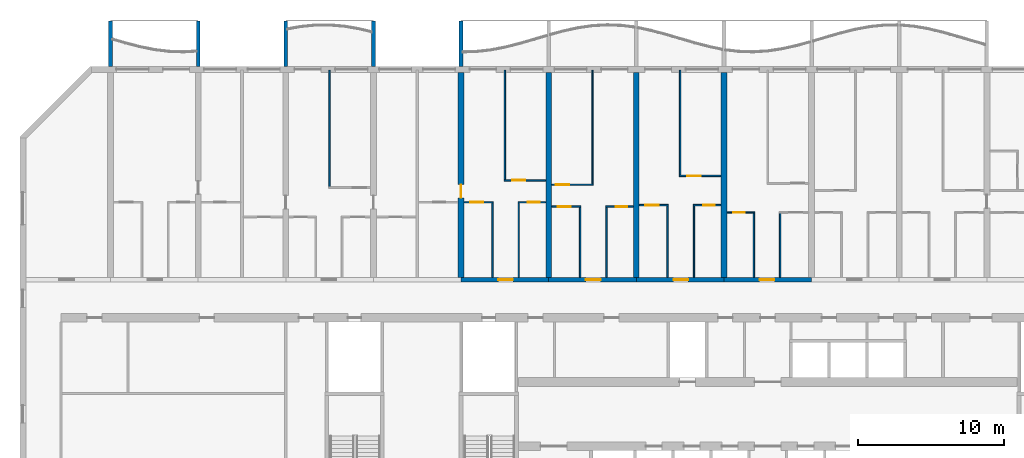
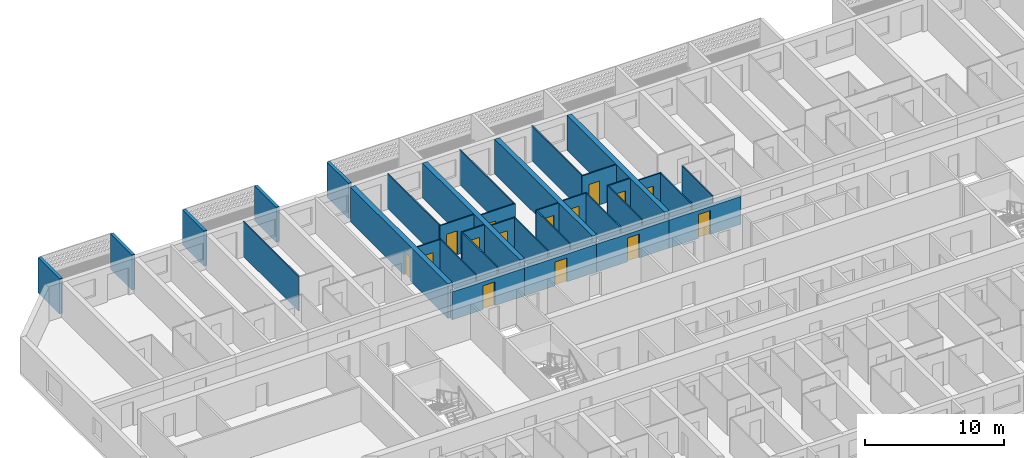
# One storey, part 13 of 44: 35 walls, 15 doors, 15 openings.
"""IFC4 building model written with IfcOpenShell, lengths in metres."""

from ifc_helpers import new_model, si_unit, direction, frame, frame_2d, origin, place, context, subcontext, project, spatial, polyline, rectangle, outline, extrude, source, transform, mapped, material, layer, layer_set, type_object, element, fill, save


model = new_model("IFC4")

# Units and contexts
model_context = context("Model", 3, precision=1e-05, world=origin(), true_north=direction((0.0, 1.0)))
body_context = subcontext(model_context, "Body", "Model", "MODEL_VIEW")
ifc_project = project(units=[si_unit("LENGTHUNIT", "METRE"), si_unit("AREAUNIT", "SQUARE_METRE"), si_unit("VOLUMEUNIT", "CUBIC_METRE"), si_unit("PLANEANGLEUNIT", "RADIAN"), si_unit("MASSUNIT", "GRAM", prefix="KILO")], contexts=[model_context])

# Site, building, storey
site_placement = place(None, origin())
site = spatial("IfcSite", under=ifc_project, at=site_placement, CompositionType="ELEMENT")
building_placement = place(site_placement, origin())
building = spatial("IfcBuilding", under=site, at=building_placement, Name="Poui Terraces", CompositionType="ELEMENT")
storey_placement = place(building_placement, frame((0.0, 0.0, 26.699951171875)))
storey = spatial("IfcBuildingStorey", under=building, at=storey_placement, Name="L06", CompositionType="ELEMENT", Elevation=26.699951171875)

# Wall, opening, door
ifc_material_1 = material(Name="Concrete 80 MPa", Category="concrete")
ifc_layer_1 = layer(ifc_material_1, 0.300048828125)
ifc_layer_set_1 = layer_set([ifc_layer_1], Name="Concrete 80 MPa")
wall_type_1 = type_object("IfcWallType", Name="CORRIDOR WALL 300 80MPa", PredefinedType="SHEAR", material=ifc_layer_set_1)
wall_1_placement = place(storey_placement, frame((30.0, 30.39990234375, 0.0), z_axis=(0.0, 0.0, 1.0), x_axis=(1.0, 0.0, 0.0)))
wall_1 = element("IfcWall", 1, at=wall_1_placement, inside=storey, type_object=wall_type_1, Name="CORRIDOR WALL LINE E BAY 6", PredefinedType="SHEAR", context=body_context, shape_type="SweptSolid", body=[
    extrude(rectangle(XDim=6.0, YDim=0.300048828125, at=frame_2d((3.0, 0.0))), origin(), (0.0, 0.0, 1.0), 2.449951171875),
])
opening_1_placement = place(wall_1_placement, frame((2.550048828125, 0.0, 0.0)))
opening_1 = element("IfcOpeningElement", 2, at=opening_1_placement, cuts=wall_1, Name="Opening FD30S", PredefinedType="OPENING", context=body_context, shape_type="SweptSolid", body=[
    extrude(rectangle(XDim=1.0, YDim=2.10009765625, at=frame_2d((0.5, 1.050048828125))), frame((0.0, 0.16015625, 0.0), z_axis=(0.0, -1.0, 0.0), x_axis=(1.0, 0.0, 0.0)), (0.0, 0.0, 1.0), 0.320068359375),
])
ifc_material_2 = material(Name="Steel fire door", Category="steel")
door_type_1 = type_object("IfcDoorType", Name="FLAT ENTRANCE DOOR 1000 X 2100", OperationType="NOTDEFINED", PredefinedType="DOOR", material=ifc_material_2)
door_1_placement = place(opening_1_placement, origin())
door_1 = element("IfcDoor", 3, at=door_1_placement, inside=storey, type_object=door_type_1, Name="FLAT ENTRANCE DOOR 048", OperationType="SINGLE_SWING_RIGHT", OverallHeight=2.10009765625, OverallWidth=1.0, PredefinedType="DOOR", context=body_context, shape_type="SweptSolid", body=[
    extrude(rectangle(XDim=1.0, YDim=2.10009765625, at=frame_2d((0.5, 1.050048828125))), frame((0.0, 0.02490234375, 0.0), z_axis=(0.0, -1.0, 0.0), x_axis=(1.0, 0.0, 0.0)), (0.0, 0.0, 1.0), 0.050048828125),
])
fill(opening_1, door_1)

wall_2_placement = place(storey_placement, frame((36.0, 30.39990234375, 0.0), z_axis=(0.0, 0.0, 1.0), x_axis=(1.0, 0.0, 0.0)))
wall_2 = element("IfcWall", 4, at=wall_2_placement, inside=storey, type_object=wall_type_1, Name="CORRIDOR WALL LINE E BAY 7", PredefinedType="SHEAR", context=body_context, shape_type="SweptSolid", body=[
    extrude(rectangle(XDim=6.0, YDim=0.300048828125, at=frame_2d((3.0, 0.0))), origin(), (0.0, 0.0, 1.0), 2.449951171875),
])
opening_2_placement = place(wall_2_placement, frame((2.550048828125, 0.0, 0.0)))
opening_2 = element("IfcOpeningElement", 5, at=opening_2_placement, cuts=wall_2, Name="Opening FD30S", PredefinedType="OPENING", context=body_context, shape_type="SweptSolid", body=[
    extrude(rectangle(XDim=1.0, YDim=2.10009765625, at=frame_2d((0.5, 1.050048828125))), frame((0.0, 0.16015625, 0.0), z_axis=(0.0, -1.0, 0.0), x_axis=(1.0, 0.0, 0.0)), (0.0, 0.0, 1.0), 0.320068359375),
])
door_2_placement = place(opening_2_placement, origin())
door_2 = element("IfcDoor", 6, at=door_2_placement, inside=storey, type_object=door_type_1, Name="FLAT ENTRANCE DOOR 053", OperationType="SINGLE_SWING_RIGHT", OverallHeight=2.10009765625, OverallWidth=1.0, PredefinedType="DOOR", context=body_context, shape_type="SweptSolid", body=[
    extrude(rectangle(XDim=1.0, YDim=2.10009765625, at=frame_2d((0.5, 1.050048828125))), frame((0.0, 0.02490234375, 0.0), z_axis=(0.0, -1.0, 0.0), x_axis=(1.0, 0.0, 0.0)), (0.0, 0.0, 1.0), 0.050048828125),
])
fill(opening_2, door_2)

wall_3_placement = place(storey_placement, frame((42.0, 30.39990234375, 0.0), z_axis=(0.0, 0.0, 1.0), x_axis=(1.0, 0.0, 0.0)))
wall_3 = element("IfcWall", 7, at=wall_3_placement, inside=storey, type_object=wall_type_1, Name="CORRIDOR WALL LINE E BAY 8", PredefinedType="SHEAR", context=body_context, shape_type="SweptSolid", body=[
    extrude(rectangle(XDim=6.0, YDim=0.300048828125, at=frame_2d((3.0, 0.0))), origin(), (0.0, 0.0, 1.0), 2.449951171875),
])
opening_3_placement = place(wall_3_placement, frame((2.550048828125, 0.0, 0.0)))
opening_3 = element("IfcOpeningElement", 8, at=opening_3_placement, cuts=wall_3, Name="Opening FD30S", PredefinedType="OPENING", context=body_context, shape_type="SweptSolid", body=[
    extrude(rectangle(XDim=1.0, YDim=2.10009765625, at=frame_2d((0.5, 1.050048828125))), frame((0.0, 0.16015625, 0.0), z_axis=(0.0, -1.0, 0.0), x_axis=(1.0, 0.0, 0.0)), (0.0, 0.0, 1.0), 0.320068359375),
])
door_3_placement = place(opening_3_placement, origin())
door_3 = element("IfcDoor", 9, at=door_3_placement, inside=storey, type_object=door_type_1, Name="FLAT ENTRANCE DOOR 056", OperationType="SINGLE_SWING_RIGHT", OverallHeight=2.10009765625, OverallWidth=1.0, PredefinedType="DOOR", context=body_context, shape_type="SweptSolid", body=[
    extrude(rectangle(XDim=1.0, YDim=2.10009765625, at=frame_2d((0.5, 1.050048828125))), frame((0.0, 0.02490234375, 0.0), z_axis=(0.0, -1.0, 0.0), x_axis=(1.0, 0.0, 0.0)), (0.0, 0.0, 1.0), 0.050048828125),
])
fill(opening_3, door_3)

wall_4_placement = place(storey_placement, frame((48.0, 30.39990234375, 0.0), z_axis=(0.0, 0.0, 1.0), x_axis=(1.0, 0.0, 0.0)))
wall_4 = element("IfcWall", 10, at=wall_4_placement, inside=storey, type_object=wall_type_1, Name="CORRIDOR WALL LINE E BAY 9", PredefinedType="SHEAR", context=body_context, shape_type="SweptSolid", body=[
    extrude(rectangle(XDim=6.0, YDim=0.300048828125, at=frame_2d((3.0, 0.0))), origin(), (0.0, 0.0, 1.0), 2.449951171875),
])
opening_4_placement = place(wall_4_placement, frame((2.449951171875, 0.0, 0.0)))
opening_4 = element("IfcOpeningElement", 11, at=opening_4_placement, cuts=wall_4, Name="Opening FD30S", PredefinedType="OPENING", context=body_context, shape_type="SweptSolid", body=[
    extrude(rectangle(XDim=1.0, YDim=2.10009765625, at=frame_2d((0.5, 1.050048828125))), frame((0.0, 0.16015625, 0.0), z_axis=(0.0, -1.0, 0.0), x_axis=(1.0, 0.0, 0.0)), (0.0, 0.0, 1.0), 0.320068359375),
])
door_4_placement = place(opening_4_placement, origin())
door_4 = element("IfcDoor", 12, at=door_4_placement, inside=storey, type_object=door_type_1, Name="FLAT ENTRANCE DOOR 060", OperationType="SINGLE_SWING_LEFT", OverallHeight=2.10009765625, OverallWidth=1.0, PredefinedType="DOOR", context=body_context, shape_type="SweptSolid", body=[
    extrude(rectangle(XDim=1.0, YDim=2.10009765625, at=frame_2d((0.5, 1.050048828125))), frame((0.0, 0.02490234375, 0.0), z_axis=(0.0, -1.0, 0.0), x_axis=(1.0, 0.0, 0.0)), (0.0, 0.0, 1.0), 0.050048828125),
])
fill(opening_4, door_4)

ifc_layer_2 = layer(ifc_material_1, 0.39990234375)
ifc_layer_set_2 = layer_set([ifc_layer_2], Name="Concrete 80 MPa")
wall_type_2 = type_object("IfcWallType", Name="CROSS WALL 400 80MPa", PredefinedType="SHEAR", material=ifc_layer_set_2)
wall_5_placement = place(storey_placement, frame((30.0, 30.550048828125, 0.0), z_axis=(0.0, 0.0, 1.0), x_axis=(0.0, 1.0, 0.0)))
wall_5 = element("IfcWall", 13, at=wall_5_placement, inside=storey, type_object=wall_type_2, Name="CROSS WALL LINE 6 NORTH", PredefinedType="SHEAR", context=body_context, shape_type="SweptSolid", body=[
    extrude(rectangle(XDim=14.050048828125, YDim=0.39990234375, at=frame_2d((7.02490234375, 0.0))), origin(), (0.0, 0.0, 1.0), 3.050048828125),
])
opening_5_placement = place(wall_5_placement, frame((5.449951171875, 0.0, 0.0)))
opening_5 = element("IfcOpeningElement", 14, at=opening_5_placement, cuts=wall_5, Name="Opening D90", PredefinedType="OPENING", context=body_context, shape_type="SweptSolid", body=[
    extrude(rectangle(XDim=0.89990234375, YDim=2.10009765625, at=frame_2d((0.449951171875, 1.050048828125))), frame((0.0, 0.2099609375, 0.0), z_axis=(0.0, -1.0, 0.0), x_axis=(1.0, 0.0, 0.0)), (0.0, 0.0, 1.0), 0.419921875),
])
ifc_material_3 = material(Name="Solid core timber door", Category="wood")
door_type_2 = type_object("IfcDoorType", Name="INTERNAL DOOR 900 X 2100", OperationType="NOTDEFINED", PredefinedType="DOOR", material=ifc_material_3)
door_5_placement = place(opening_5_placement, origin())
door_5 = element("IfcDoor", 15, at=door_5_placement, inside=storey, type_object=door_type_2, Name="INTERNAL DOOR 046", OperationType="SINGLE_SWING_LEFT", OverallHeight=2.10009765625, OverallWidth=0.89990234375, PredefinedType="DOOR", context=body_context, shape_type="SweptSolid", body=[
    extrude(rectangle(XDim=0.89990234375, YDim=2.10009765625, at=frame_2d((0.449951171875, 1.050048828125))), frame((0.0, 0.02490234375, 0.0), z_axis=(0.0, -1.0, 0.0), x_axis=(1.0, 0.0, 0.0)), (0.0, 0.0, 1.0), 0.050048828125),
])
fill(opening_5, door_5)

# Walls
for number, where, z_axis, x_axis, name in (
    (16, (36.0, 30.550048828125, 0.0), (0.0, 0.0, 1.0), (0.0, 1.0, 0.0), "CROSS WALL LINE 7 NORTH"),
    (17, (42.0, 30.550048828125, 0.0), (0.0, 0.0, 1.0), (0.0, 1.0, 0.0), "CROSS WALL LINE 8 NORTH"),
    (18, (48.0, 30.550048828125, 0.0), (0.0, 0.0, 1.0), (0.0, 1.0, 0.0), "CROSS WALL LINE 9 NORTH"),
):
    element("IfcWall", number, at=place(storey_placement, frame(where, z_axis=z_axis, x_axis=x_axis)), inside=storey, type_object=wall_type_2, Name=name, PredefinedType="SHEAR", context=body_context, shape_type="SweptSolid", body=[
        extrude(rectangle(XDim=14.050048828125, YDim=0.39990234375, at=frame_2d((7.02490234375, 0.0))), origin(), (0.0, 0.0, 1.0), 3.050048828125),
    ])

# Wall, opening, door
ifc_material_4 = material(Name="Plasterboard partition")
ifc_layer_3 = layer(ifc_material_4, 0.10009765625)
ifc_layer_set_3 = layer_set([ifc_layer_3], Name="Plasterboard partition")
wall_type_3 = type_object("IfcWallType", Name="FLAT PARTITION 100", PredefinedType="PARTITIONING", material=ifc_layer_set_3)
wall_6_placement = place(storey_placement, frame((48.2099609375, 35.0, 0.0), z_axis=(0.0, 0.0, 1.0), x_axis=(1.0, 0.0, 0.0)))
wall_6 = element("IfcWall", 19, at=wall_6_placement, inside=storey, type_object=wall_type_3, Name="FLAT PARTITION 100", PredefinedType="PARTITIONING", context=body_context, shape_type="SweptSolid", body=[
    extrude(rectangle(XDim=1.89013671875, YDim=0.10009765625, at=frame_2d((0.945068359375, 0.0))), origin(), (0.0, 0.0, 1.0), 3.050048828125),
])
opening_6_placement = place(wall_6_placement, frame((0.4150390625, 0.0, 0.0)))
opening_6 = element("IfcOpeningElement", 20, at=opening_6_placement, cuts=wall_6, Name="Opening D80", PredefinedType="OPENING", context=body_context, shape_type="SweptSolid", body=[
    extrude(rectangle(XDim=0.800048828125, YDim=2.10009765625, at=frame_2d((0.39990234375, 1.050048828125))), frame((0.0, 0.06005859375, 0.0), z_axis=(0.0, -1.0, 0.0), x_axis=(1.0, 0.0, 0.0)), (0.0, 0.0, 1.0), 0.1201171875),
])
door_type_3 = type_object("IfcDoorType", Name="BATHROOM, LAUNDRY AND STORE DOOR 800 X 2100", OperationType="NOTDEFINED", PredefinedType="DOOR", material=ifc_material_3)
door_6_placement = place(opening_6_placement, frame((0.800048828125, 0.0, 0.0), z_axis=(0.0, 0.0, 1.0), x_axis=(-1.0, 0.0, 0.0)))
door_6 = element("IfcDoor", 21, at=door_6_placement, inside=storey, type_object=door_type_3, Name="BATHROOM, LAUNDRY AND STORE DOOR 059", OperationType="SINGLE_SWING_RIGHT", OverallHeight=2.10009765625, OverallWidth=0.800048828125, PredefinedType="DOOR", context=body_context, shape_type="SweptSolid", body=[
    extrude(rectangle(XDim=0.800048828125, YDim=2.10009765625, at=frame_2d((0.39990234375, 1.050048828125))), frame((0.0, 0.02490234375, 0.0), z_axis=(0.0, -1.0, 0.0), x_axis=(1.0, 0.0, 0.0)), (0.0, 0.0, 1.0), 0.050048828125),
])
fill(opening_6, door_6)

wall_7_placement = place(storey_placement, frame((36.2099609375, 35.39990234375, 0.0), z_axis=(0.0, 0.0, 1.0), x_axis=(1.0, 0.0, 0.0)))
wall_7 = element("IfcWall", 22, at=wall_7_placement, inside=storey, type_object=wall_type_3, Name="FLAT PARTITION 100", PredefinedType="PARTITIONING", context=body_context, shape_type="SweptSolid", body=[
    extrude(rectangle(XDim=1.989990234375, YDim=0.10009765625, at=frame_2d((0.9951171875, 0.0))), origin(), (0.0, 0.0, 1.0), 3.050048828125),
])
opening_7_placement = place(wall_7_placement, frame((0.4150390625, 0.0, 0.0)))
opening_7 = element("IfcOpeningElement", 23, at=opening_7_placement, cuts=wall_7, Name="Opening D90", PredefinedType="OPENING", context=body_context, shape_type="SweptSolid", body=[
    extrude(rectangle(XDim=0.89990234375, YDim=2.10009765625, at=frame_2d((0.449951171875, 1.050048828125))), frame((0.0, 0.06005859375, 0.0), z_axis=(0.0, -1.0, 0.0), x_axis=(1.0, 0.0, 0.0)), (0.0, 0.0, 1.0), 0.1201171875),
])
door_7_placement = place(opening_7_placement, frame((0.89990234375, 0.0, 0.0), z_axis=(0.0, 0.0, 1.0), x_axis=(-1.0, 0.0, 0.0)))
door_7 = element("IfcDoor", 24, at=door_7_placement, inside=storey, type_object=door_type_2, Name="INTERNAL DOOR 052", OperationType="SINGLE_SWING_RIGHT", OverallHeight=2.10009765625, OverallWidth=0.89990234375, PredefinedType="DOOR", context=body_context, shape_type="SweptSolid", body=[
    extrude(rectangle(XDim=0.89990234375, YDim=2.10009765625, at=frame_2d((0.449951171875, 1.050048828125))), frame((0.0, 0.02490234375, 0.0), z_axis=(0.0, -1.0, 0.0), x_axis=(1.0, 0.0, 0.0)), (0.0, 0.0, 1.0), 0.050048828125),
])
fill(opening_7, door_7)

wall_8_placement = place(storey_placement, frame((39.89990234375, 35.39990234375, 0.0), z_axis=(0.0, 0.0, 1.0), x_axis=(1.0, 0.0, 0.0)))
wall_8 = element("IfcWall", 25, at=wall_8_placement, inside=storey, type_object=wall_type_3, Name="FLAT PARTITION 100", PredefinedType="PARTITIONING", context=body_context, shape_type="SweptSolid", body=[
    extrude(rectangle(XDim=1.89013671875, YDim=0.10009765625, at=frame_2d((0.945068359375, 0.0))), origin(), (0.0, 0.0, 1.0), 3.050048828125),
])
opening_8_placement = place(wall_8_placement, frame((0.675048828125, 0.0, 0.0)))
opening_8 = element("IfcOpeningElement", 26, at=opening_8_placement, cuts=wall_8, Name="Opening D80", PredefinedType="OPENING", context=body_context, shape_type="SweptSolid", body=[
    extrude(rectangle(XDim=0.800048828125, YDim=2.10009765625, at=frame_2d((0.39990234375, 1.050048828125))), frame((0.0, 0.06005859375, 0.0), z_axis=(0.0, -1.0, 0.0), x_axis=(1.0, 0.0, 0.0)), (0.0, 0.0, 1.0), 0.1201171875),
])
door_8_placement = place(opening_8_placement, frame((0.800048828125, 0.0, 0.0), z_axis=(0.0, 0.0, 1.0), x_axis=(-1.0, 0.0, 0.0)))
door_8 = element("IfcDoor", 27, at=door_8_placement, inside=storey, type_object=door_type_3, Name="BATHROOM, LAUNDRY AND STORE DOOR 054", OperationType="SINGLE_SWING_LEFT", OverallHeight=2.10009765625, OverallWidth=0.800048828125, PredefinedType="DOOR", context=body_context, shape_type="SweptSolid", body=[
    extrude(rectangle(XDim=0.800048828125, YDim=2.10009765625, at=frame_2d((0.39990234375, 1.050048828125))), frame((0.0, 0.02490234375, 0.0), z_axis=(0.0, -1.0, 0.0), x_axis=(1.0, 0.0, 0.0)), (0.0, 0.0, 1.0), 0.050048828125),
])
fill(opening_8, door_8)

wall_9_placement = place(storey_placement, frame((42.2099609375, 35.5, 0.0), z_axis=(0.0, 0.0, 1.0), x_axis=(1.0, 0.0, 0.0)))
wall_9 = element("IfcWall", 28, at=wall_9_placement, inside=storey, type_object=wall_type_3, Name="FLAT PARTITION 100", PredefinedType="PARTITIONING", context=body_context, shape_type="SweptSolid", body=[
    extrude(rectangle(XDim=1.989990234375, YDim=0.10009765625, at=frame_2d((0.9951171875, 0.0))), origin(), (0.0, 0.0, 1.0), 3.050048828125),
])
opening_9_placement = place(wall_9_placement, frame((0.4150390625, 0.0, 0.0)))
opening_9 = element("IfcOpeningElement", 29, at=opening_9_placement, cuts=wall_9, Name="Opening D90", PredefinedType="OPENING", context=body_context, shape_type="SweptSolid", body=[
    extrude(rectangle(XDim=0.89990234375, YDim=2.10009765625, at=frame_2d((0.449951171875, 1.050048828125))), frame((0.0, 0.06005859375, 0.0), z_axis=(0.0, -1.0, 0.0), x_axis=(1.0, 0.0, 0.0)), (0.0, 0.0, 1.0), 0.1201171875),
])
door_9_placement = place(opening_9_placement, frame((0.89990234375, 0.0, 0.0), z_axis=(0.0, 0.0, 1.0), x_axis=(-1.0, 0.0, 0.0)))
door_9 = element("IfcDoor", 30, at=door_9_placement, inside=storey, type_object=door_type_2, Name="INTERNAL DOOR 055", OperationType="SINGLE_SWING_LEFT", OverallHeight=2.10009765625, OverallWidth=0.89990234375, PredefinedType="DOOR", context=body_context, shape_type="SweptSolid", body=[
    extrude(rectangle(XDim=0.89990234375, YDim=2.10009765625, at=frame_2d((0.449951171875, 1.050048828125))), frame((0.0, 0.02490234375, 0.0), z_axis=(0.0, -1.0, 0.0), x_axis=(1.0, 0.0, 0.0)), (0.0, 0.0, 1.0), 0.050048828125),
])
fill(opening_9, door_9)

wall_10_placement = place(storey_placement, frame((45.89990234375, 35.5, 0.0), z_axis=(0.0, 0.0, 1.0), x_axis=(1.0, 0.0, 0.0)))
wall_10 = element("IfcWall", 31, at=wall_10_placement, inside=storey, type_object=wall_type_3, Name="FLAT PARTITION 100", PredefinedType="PARTITIONING", context=body_context, shape_type="SweptSolid", body=[
    extrude(rectangle(XDim=1.89013671875, YDim=0.10009765625, at=frame_2d((0.945068359375, 0.0))), origin(), (0.0, 0.0, 1.0), 3.050048828125),
])
opening_10_placement = place(wall_10_placement, frame((0.675048828125, 0.0, 0.0)))
opening_10 = element("IfcOpeningElement", 32, at=opening_10_placement, cuts=wall_10, Name="Opening D80", PredefinedType="OPENING", context=body_context, shape_type="SweptSolid", body=[
    extrude(rectangle(XDim=0.800048828125, YDim=2.10009765625, at=frame_2d((0.39990234375, 1.050048828125))), frame((0.0, 0.06005859375, 0.0), z_axis=(0.0, -1.0, 0.0), x_axis=(1.0, 0.0, 0.0)), (0.0, 0.0, 1.0), 0.1201171875),
])
door_10_placement = place(opening_10_placement, frame((0.800048828125, 0.0, 0.0), z_axis=(0.0, 0.0, 1.0), x_axis=(-1.0, 0.0, 0.0)))
door_10 = element("IfcDoor", 33, at=door_10_placement, inside=storey, type_object=door_type_3, Name="BATHROOM, LAUNDRY AND STORE DOOR 058", OperationType="SINGLE_SWING_RIGHT", OverallHeight=2.10009765625, OverallWidth=0.800048828125, PredefinedType="DOOR", context=body_context, shape_type="SweptSolid", body=[
    extrude(rectangle(XDim=0.800048828125, YDim=2.10009765625, at=frame_2d((0.39990234375, 1.050048828125))), frame((0.0, 0.02490234375, 0.0), z_axis=(0.0, -1.0, 0.0), x_axis=(1.0, 0.0, 0.0)), (0.0, 0.0, 1.0), 0.050048828125),
])
fill(opening_10, door_10)

wall_11_placement = place(storey_placement, frame((30.2099609375, 35.699951171875, 0.0), z_axis=(0.0, 0.0, 1.0), x_axis=(1.0, 0.0, 0.0)))
wall_11 = element("IfcWall", 34, at=wall_11_placement, inside=storey, type_object=wall_type_3, Name="FLAT PARTITION 100", PredefinedType="PARTITIONING", context=body_context, shape_type="SweptSolid", body=[
    extrude(rectangle(XDim=1.989990234375, YDim=0.10009765625, at=frame_2d((0.9951171875, 0.0))), origin(), (0.0, 0.0, 1.0), 3.050048828125),
])
opening_11_placement = place(wall_11_placement, frame((0.4150390625, 0.0, 0.0)))
opening_11 = element("IfcOpeningElement", 35, at=opening_11_placement, cuts=wall_11, Name="Opening D90", PredefinedType="OPENING", context=body_context, shape_type="SweptSolid", body=[
    extrude(rectangle(XDim=0.89990234375, YDim=2.10009765625, at=frame_2d((0.449951171875, 1.050048828125))), frame((0.0, 0.06005859375, 0.0), z_axis=(0.0, -1.0, 0.0), x_axis=(1.0, 0.0, 0.0)), (0.0, 0.0, 1.0), 0.1201171875),
])
door_11_placement = place(opening_11_placement, frame((0.89990234375, 0.0, 0.0), z_axis=(0.0, 0.0, 1.0), x_axis=(-1.0, 0.0, 0.0)))
door_11 = element("IfcDoor", 36, at=door_11_placement, inside=storey, type_object=door_type_2, Name="INTERNAL DOOR 047", OperationType="SINGLE_SWING_LEFT", OverallHeight=2.10009765625, OverallWidth=0.89990234375, PredefinedType="DOOR", context=body_context, shape_type="SweptSolid", body=[
    extrude(rectangle(XDim=0.89990234375, YDim=2.10009765625, at=frame_2d((0.449951171875, 1.050048828125))), frame((0.0, 0.02490234375, 0.0), z_axis=(0.0, -1.0, 0.0), x_axis=(1.0, 0.0, 0.0)), (0.0, 0.0, 1.0), 0.050048828125),
])
fill(opening_11, door_11)

wall_12_placement = place(storey_placement, frame((33.89990234375, 35.699951171875, 0.0), z_axis=(0.0, 0.0, 1.0), x_axis=(1.0, 0.0, 0.0)))
wall_12 = element("IfcWall", 37, at=wall_12_placement, inside=storey, type_object=wall_type_3, Name="FLAT PARTITION 100", PredefinedType="PARTITIONING", context=body_context, shape_type="SweptSolid", body=[
    extrude(rectangle(XDim=1.89013671875, YDim=0.10009765625, at=frame_2d((0.945068359375, 0.0))), origin(), (0.0, 0.0, 1.0), 3.050048828125),
])
opening_12_placement = place(wall_12_placement, frame((0.675048828125, 0.0, 0.0)))
opening_12 = element("IfcOpeningElement", 38, at=opening_12_placement, cuts=wall_12, Name="Opening D80", PredefinedType="OPENING", context=body_context, shape_type="SweptSolid", body=[
    extrude(rectangle(XDim=0.800048828125, YDim=2.10009765625, at=frame_2d((0.39990234375, 1.050048828125))), frame((0.0, 0.06005859375, 0.0), z_axis=(0.0, -1.0, 0.0), x_axis=(1.0, 0.0, 0.0)), (0.0, 0.0, 1.0), 0.1201171875),
])
door_12_placement = place(opening_12_placement, frame((0.800048828125, 0.0, 0.0), z_axis=(0.0, 0.0, 1.0), x_axis=(-1.0, 0.0, 0.0)))
door_12 = element("IfcDoor", 39, at=door_12_placement, inside=storey, type_object=door_type_3, Name="BATHROOM, LAUNDRY AND STORE DOOR 050", OperationType="SINGLE_SWING_RIGHT", OverallHeight=2.10009765625, OverallWidth=0.800048828125, PredefinedType="DOOR", context=body_context, shape_type="SweptSolid", body=[
    extrude(rectangle(XDim=0.800048828125, YDim=2.10009765625, at=frame_2d((0.39990234375, 1.050048828125))), frame((0.0, 0.02490234375, 0.0), z_axis=(0.0, -1.0, 0.0), x_axis=(1.0, 0.0, 0.0)), (0.0, 0.0, 1.0), 0.050048828125),
])
fill(opening_12, door_12)

wall_13_placement = place(storey_placement, frame((36.2099609375, 36.89990234375, 0.0), z_axis=(0.0, 0.0, 1.0), x_axis=(1.0, 0.0, 0.0)))
wall_13 = element("IfcWall", 40, at=wall_13_placement, inside=storey, type_object=wall_type_3, Name="FLAT PARTITION 100", PredefinedType="PARTITIONING", context=body_context, shape_type="SweptSolid", body=[
    extrude(rectangle(XDim=2.840087890625, YDim=0.10009765625, at=frame_2d((1.419921875, 0.0))), origin(), (0.0, 0.0, 1.0), 3.050048828125),
])
opening_13_placement = place(wall_13_placement, frame((0.2900390625, 0.0, 0.0)))
opening_13 = element("IfcOpeningElement", 41, at=opening_13_placement, cuts=wall_13, Name="Opening D90", PredefinedType="OPENING", context=body_context, shape_type="SweptSolid", body=[
    extrude(rectangle(XDim=0.89990234375, YDim=2.10009765625, at=frame_2d((0.449951171875, 1.050048828125))), frame((0.0, 0.06005859375, 0.0), z_axis=(0.0, -1.0, 0.0), x_axis=(1.0, 0.0, 0.0)), (0.0, 0.0, 1.0), 0.1201171875),
])
door_13_placement = place(opening_13_placement, frame((0.89990234375, 0.0, 0.0), z_axis=(0.0, 0.0, 1.0), x_axis=(-1.0, 0.0, 0.0)))
door_13 = element("IfcDoor", 42, at=door_13_placement, inside=storey, type_object=door_type_2, Name="INTERNAL DOOR 051", OperationType="SINGLE_SWING_LEFT", OverallHeight=2.10009765625, OverallWidth=0.89990234375, PredefinedType="DOOR", context=body_context, shape_type="SweptSolid", body=[
    extrude(rectangle(XDim=0.89990234375, YDim=2.10009765625, at=frame_2d((0.449951171875, 1.050048828125))), frame((0.0, 0.02490234375, 0.0), z_axis=(0.0, -1.0, 0.0), x_axis=(1.0, 0.0, 0.0)), (0.0, 0.0, 1.0), 0.050048828125),
])
fill(opening_13, door_13)

wall_14_placement = place(storey_placement, frame((32.949951171875, 37.199951171875, 0.0), z_axis=(0.0, 0.0, 1.0), x_axis=(1.0, 0.0, 0.0)))
wall_14 = element("IfcWall", 43, at=wall_14_placement, inside=storey, type_object=wall_type_3, Name="FLAT PARTITION 100", PredefinedType="PARTITIONING", context=body_context, shape_type="SweptSolid", body=[
    extrude(rectangle(XDim=2.840087890625, YDim=0.10009765625, at=frame_2d((1.419921875, 0.0))), origin(), (0.0, 0.0, 1.0), 3.050048828125),
])
opening_14_placement = place(wall_14_placement, frame((0.550048828125, 0.0, 0.0)))
opening_14 = element("IfcOpeningElement", 44, at=opening_14_placement, cuts=wall_14, Name="Opening D90", PredefinedType="OPENING", context=body_context, shape_type="SweptSolid", body=[
    extrude(rectangle(XDim=0.89990234375, YDim=2.10009765625, at=frame_2d((0.449951171875, 1.050048828125))), frame((0.0, 0.06005859375, 0.0), z_axis=(0.0, -1.0, 0.0), x_axis=(1.0, 0.0, 0.0)), (0.0, 0.0, 1.0), 0.1201171875),
])
door_14_placement = place(opening_14_placement, frame((0.89990234375, 0.0, 0.0), z_axis=(0.0, 0.0, 1.0), x_axis=(-1.0, 0.0, 0.0)))
door_14 = element("IfcDoor", 45, at=door_14_placement, inside=storey, type_object=door_type_2, Name="INTERNAL DOOR 049", OperationType="SINGLE_SWING_LEFT", OverallHeight=2.10009765625, OverallWidth=0.89990234375, PredefinedType="DOOR", context=body_context, shape_type="SweptSolid", body=[
    extrude(rectangle(XDim=0.89990234375, YDim=2.10009765625, at=frame_2d((0.449951171875, 1.050048828125))), frame((0.0, 0.02490234375, 0.0), z_axis=(0.0, -1.0, 0.0), x_axis=(1.0, 0.0, 0.0)), (0.0, 0.0, 1.0), 0.050048828125),
])
fill(opening_14, door_14)

wall_15_placement = place(storey_placement, frame((44.949951171875, 37.5, 0.0), z_axis=(0.0, 0.0, 1.0), x_axis=(1.0, 0.0, 0.0)))
wall_15 = element("IfcWall", 46, at=wall_15_placement, inside=storey, type_object=wall_type_3, Name="FLAT PARTITION 100", PredefinedType="PARTITIONING", context=body_context, shape_type="SweptSolid", body=[
    extrude(rectangle(XDim=2.840087890625, YDim=0.10009765625, at=frame_2d((1.419921875, 0.0))), origin(), (0.0, 0.0, 1.0), 3.050048828125),
])
opening_15_placement = place(wall_15_placement, frame((0.550048828125, 0.0, 0.0)))
opening_15 = element("IfcOpeningElement", 47, at=opening_15_placement, cuts=wall_15, Name="Opening D90", PredefinedType="OPENING", context=body_context, shape_type="SweptSolid", body=[
    extrude(rectangle(XDim=0.89990234375, YDim=2.10009765625, at=frame_2d((0.449951171875, 1.050048828125))), frame((0.0, 0.06005859375, 0.0), z_axis=(0.0, -1.0, 0.0), x_axis=(1.0, 0.0, 0.0)), (0.0, 0.0, 1.0), 0.1201171875),
])
door_15_placement = place(opening_15_placement, frame((0.89990234375, 0.0, 0.0), z_axis=(0.0, 0.0, 1.0), x_axis=(-1.0, 0.0, 0.0)))
door_15 = element("IfcDoor", 48, at=door_15_placement, inside=storey, type_object=door_type_2, Name="INTERNAL DOOR 057", OperationType="SINGLE_SWING_LEFT", OverallHeight=2.10009765625, OverallWidth=0.89990234375, PredefinedType="DOOR", context=body_context, shape_type="SweptSolid", body=[
    extrude(rectangle(XDim=0.89990234375, YDim=2.10009765625, at=frame_2d((0.449951171875, 1.050048828125))), frame((0.0, 0.02490234375, 0.0), z_axis=(0.0, -1.0, 0.0), x_axis=(1.0, 0.0, 0.0)), (0.0, 0.0, 1.0), 0.050048828125),
])
fill(opening_15, door_15)

# Walls
wall_16_placement = place(storey_placement, frame((21.0, 36.75, 0.0), z_axis=(0.0, 0.0, 1.0), x_axis=(0.0, 1.0, 0.0)))
element("IfcWall", 49, at=wall_16_placement, inside=storey, type_object=wall_type_3, Name="FLAT PARTITION 100", PredefinedType="PARTITIONING", context=body_context, shape_type="SweptSolid", body=[
    extrude(rectangle(XDim=7.989990234375, YDim=0.10009765625, at=frame_2d((3.9951171875, 0.0))), origin(), (0.0, 0.0, 1.0), 3.050048828125),
])
wall_17_placement = place(storey_placement, frame((32.14990234375, 30.56005859375, 0.0), z_axis=(0.0, 0.0, 1.0), x_axis=(0.0, 1.0, 0.0)))
element("IfcWall", 50, at=wall_17_placement, inside=storey, type_object=wall_type_3, Name="FLAT PARTITION 100", PredefinedType="PARTITIONING", context=body_context, shape_type="SweptSolid", body=[
    extrude(rectangle(XDim=5.08984375, YDim=0.10009765625, at=frame_2d((2.544921875, 0.0))), origin(), (0.0, 0.0, 1.0), 3.050048828125),
])
wall_18_placement = place(storey_placement, frame((33.0, 37.25, 0.0), z_axis=(0.0, 0.0, 1.0), x_axis=(0.0, 1.0, 0.0)))
element("IfcWall", 51, at=wall_18_placement, inside=storey, type_object=wall_type_3, Name="FLAT PARTITION 100", PredefinedType="PARTITIONING", context=body_context, shape_type="SweptSolid", body=[
    extrude(rectangle(XDim=7.489990234375, YDim=0.10009765625, at=frame_2d((3.7451171875, 0.0))), origin(), (0.0, 0.0, 1.0), 3.050048828125),
])
wall_19_placement = place(storey_placement, frame((33.949951171875, 30.56005859375, 0.0), z_axis=(0.0, 0.0, 1.0), x_axis=(0.0, 1.0, 0.0)))
element("IfcWall", 52, at=wall_19_placement, inside=storey, type_object=wall_type_3, Name="FLAT PARTITION 100", PredefinedType="PARTITIONING", context=body_context, shape_type="SweptSolid", body=[
    extrude(rectangle(XDim=5.08984375, YDim=0.10009765625, at=frame_2d((2.544921875, 0.0))), origin(), (0.0, 0.0, 1.0), 3.050048828125),
])
wall_20_placement = place(storey_placement, frame((38.14990234375, 30.56005859375, 0.0), z_axis=(0.0, 0.0, 1.0), x_axis=(0.0, 1.0, 0.0)))
element("IfcWall", 53, at=wall_20_placement, inside=storey, type_object=wall_type_3, Name="FLAT PARTITION 100", PredefinedType="PARTITIONING", context=body_context, shape_type="SweptSolid", body=[
    extrude(rectangle(XDim=4.7900390625, YDim=0.10009765625, at=frame_2d((2.39501953125, 0.0))), origin(), (0.0, 0.0, 1.0), 3.050048828125),
])
wall_21_placement = place(storey_placement, frame((39.0, 36.949951171875, 0.0), z_axis=(0.0, 0.0, 1.0), x_axis=(0.0, 1.0, 0.0)))
element("IfcWall", 54, at=wall_21_placement, inside=storey, type_object=wall_type_3, Name="FLAT PARTITION 100", PredefinedType="PARTITIONING", context=body_context, shape_type="SweptSolid", body=[
    extrude(rectangle(XDim=7.7900390625, YDim=0.10009765625, at=frame_2d((3.89501953125, 0.0))), origin(), (0.0, 0.0, 1.0), 3.050048828125),
])
wall_22_placement = place(storey_placement, frame((39.949951171875, 30.56005859375, 0.0), z_axis=(0.0, 0.0, 1.0), x_axis=(0.0, 1.0, 0.0)))
element("IfcWall", 55, at=wall_22_placement, inside=storey, type_object=wall_type_3, Name="FLAT PARTITION 100", PredefinedType="PARTITIONING", context=body_context, shape_type="SweptSolid", body=[
    extrude(rectangle(XDim=4.7900390625, YDim=0.10009765625, at=frame_2d((2.39501953125, 0.0))), origin(), (0.0, 0.0, 1.0), 3.050048828125),
])
wall_23_placement = place(storey_placement, frame((44.14990234375, 30.56005859375, 0.0), z_axis=(0.0, 0.0, 1.0), x_axis=(0.0, 1.0, 0.0)))
element("IfcWall", 56, at=wall_23_placement, inside=storey, type_object=wall_type_3, Name="FLAT PARTITION 100", PredefinedType="PARTITIONING", context=body_context, shape_type="SweptSolid", body=[
    extrude(rectangle(XDim=4.889892578125, YDim=0.10009765625, at=frame_2d((2.44482421875, 0.0))), origin(), (0.0, 0.0, 1.0), 3.050048828125),
])
wall_24_placement = place(storey_placement, frame((45.0, 37.550048828125, 0.0), z_axis=(0.0, 0.0, 1.0), x_axis=(0.0, 1.0, 0.0)))
element("IfcWall", 57, at=wall_24_placement, inside=storey, type_object=wall_type_3, Name="FLAT PARTITION 100", PredefinedType="PARTITIONING", context=body_context, shape_type="SweptSolid", body=[
    extrude(rectangle(XDim=7.18994140625, YDim=0.10009765625, at=frame_2d((3.594970703125, 0.0))), origin(), (0.0, 0.0, 1.0), 3.050048828125),
])
wall_25_placement = place(storey_placement, frame((45.949951171875, 30.56005859375, 0.0), z_axis=(0.0, 0.0, 1.0), x_axis=(0.0, 1.0, 0.0)))
element("IfcWall", 58, at=wall_25_placement, inside=storey, type_object=wall_type_3, Name="FLAT PARTITION 100", PredefinedType="PARTITIONING", context=body_context, shape_type="SweptSolid", body=[
    extrude(rectangle(XDim=4.889892578125, YDim=0.10009765625, at=frame_2d((2.44482421875, 0.0))), origin(), (0.0, 0.0, 1.0), 3.050048828125),
])
for number, where, z_axis, x_axis, name in (
    (59, (50.050048828125, 30.56005859375, 0.0), (0.0, 0.0, 1.0), (0.0, 1.0, 0.0), "FLAT PARTITION 100"),
    (60, (51.85009765625, 30.56005859375, 0.0), (0.0, 0.0, 1.0), (0.0, 1.0, 0.0), "FLAT PARTITION 100"),
):
    element("IfcWall", number, at=place(storey_placement, frame(where, z_axis=z_axis, x_axis=x_axis)), inside=storey, type_object=wall_type_3, Name=name, PredefinedType="PARTITIONING", context=body_context, shape_type="SweptSolid", body=[
        extrude(rectangle(XDim=4.389892578125, YDim=0.10009765625, at=frame_2d((2.19482421875, 0.0))), origin(), (0.0, 0.0, 1.0), 3.050048828125),
    ])
ifc_material_5 = material(Name="Precast concrete 40 MPa", Category="concrete")
ifc_layer_4 = layer(ifc_material_5, 0.25)
ifc_layer_set_4 = layer_set([ifc_layer_4], Name="Precast concrete 40 MPa")
wall_type_4 = type_object("IfcWallType", Name="BALCONY FIN 250", PredefinedType="STANDARD", material=ifc_layer_set_4)
shared_shape = source(origin(), body_context, "Body", "SweptSolid", [
    extrude(outline(polyline([(0.0, 0.0), (0.25, 0.0), (0.25, 3.10009765625), (0.0, 3.10009765625), (0.0, 0.0)])), origin(), (0.0, 0.0, 1.0), 3.10009765625),
])
for number, where, name in (
    (61, (5.875, 45.0, 0.0), "BALCONY FIN"),
    (62, (11.875, 45.0, 0.0), "BALCONY FIN"),
    (63, (17.875, 45.0, 0.0), "BALCONY FIN"),
    (64, (23.875, 45.0, 0.0), "BALCONY FIN"),
    (65, (29.875, 45.0, 0.0), "BALCONY FIN"),
):
    element("IfcWall", number, at=place(storey_placement, frame(where)), inside=storey, type_object=wall_type_4, Name=name, PredefinedType="STANDARD", context=body_context, shape_type="MappedRepresentation", body=[
        mapped(shared_shape, transform((0.0, 0.0, 0.0))),
    ])

save(model, "model.ifc")
